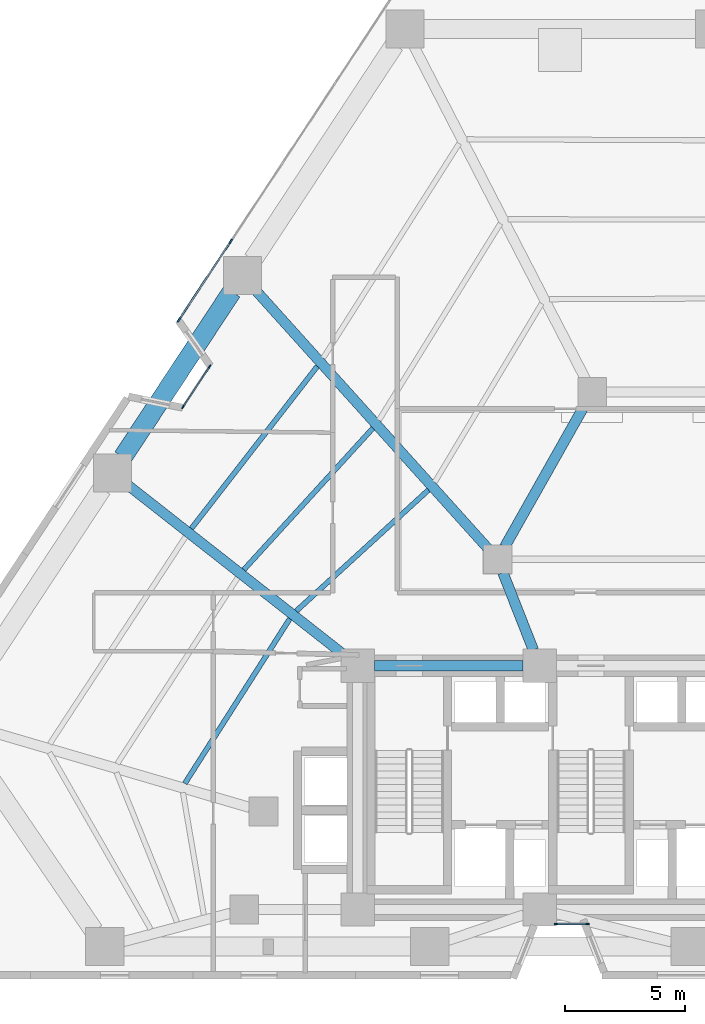
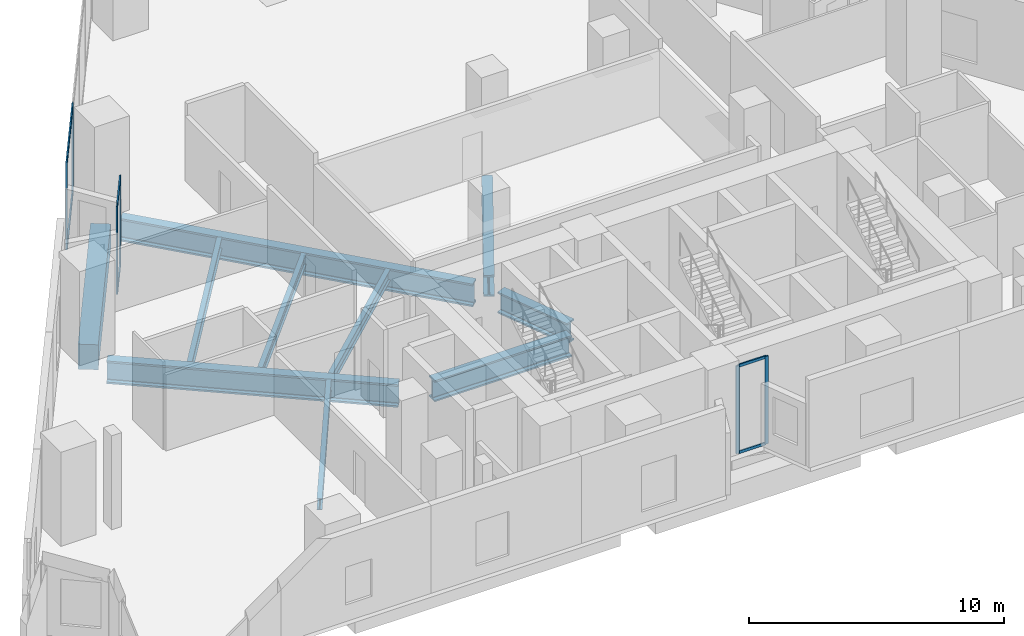
# One storey, part 2 of 12: 12 members, 10 beams, 3 elements without a shape of their own.
"""IFC4 building model written with IfcOpenShell, lengths in metres."""

from ifc_helpers import new_model, si_unit, direction, frame, origin, origin_2d, place, context, subcontext, project, spatial, rectangle, i_section, extrude, material, layer, layer_set, material_profile, profile_set, type_object, element, aggregate, save


model = new_model("IFC4")

# Units and contexts
model_context = context("Model", 3, precision=1e-05, world=origin(), true_north=direction((0.0, 1.0)))
body_context = subcontext(model_context, "Body", "Model", "MODEL_VIEW")
ifc_project = project(units=[si_unit("LENGTHUNIT", "METRE"), si_unit("AREAUNIT", "SQUARE_METRE"), si_unit("VOLUMEUNIT", "CUBIC_METRE"), si_unit("PLANEANGLEUNIT", "RADIAN"), si_unit("MASSUNIT", "GRAM", prefix="KILO")], contexts=[model_context])

# Site, building, storey
site_placement = place(None, origin())
site = spatial("IfcSite", under=ifc_project, at=site_placement, CompositionType="ELEMENT")
building_placement = place(site_placement, origin())
building = spatial("IfcBuilding", under=site, at=building_placement, Name="Almagre Mirador Tower", CompositionType="ELEMENT")
storey_placement = place(building_placement, frame((0.0, 0.0, 12.89990234375)))
storey = spatial("IfcBuildingStorey", under=building, at=storey_placement, Name="L02", CompositionType="ELEMENT", Elevation=12.89990234375)

# Beams
ifc_material_1 = material(Name="Steel ASTM A992 Grade 50", Category="steel")
ifc_material_profile_1 = material_profile(ifc_material_1, i_section(OverallWidth=0.214111328125, OverallDepth=0.549072265625, WebThickness=0.0146484375, FlangeThickness=0.023681640625, FilletRadius=0.01806640625, at=origin_2d()), Name="W21X93")
ifc_profile_set_1 = profile_set([ifc_material_profile_1], Name="Steel ASTM A992 Grade 50")
beam_type_1 = type_object("IfcBeamType", Name="BM-JST-W21X93", PredefinedType="JOIST", material=ifc_profile_set_1)
beam_1_placement = place(storey_placement, frame((25.854736328125, 27.274169921875, -0.574462890625), z_axis=(-0.613238066884, -0.789898141107, 0.0), x_axis=(0.789898141107, -0.613238066884, 0.0)))
element("IfcBeam", 1, at=beam_1_placement, inside=storey, type_object=beam_type_1, Name="L02 secondary floor joist PC10-PC11.1", PredefinedType="JOIST", context=body_context, shape_type="SweptSolid", body=[
    extrude(i_section(OverallWidth=0.214111328125, OverallDepth=0.549072265625, WebThickness=0.0146484375, FlangeThickness=0.023681640625, FilletRadius=0.01806640625, at=origin_2d()), origin(), (0.0, 0.0, 1.0), 8.591796875),
])
beam_2_placement = place(storey_placement, frame((28.179931640625, 24.686279296875, -0.574462890625), z_axis=(-0.673792506438, -0.738920603494, 0.0), x_axis=(0.738920603494, -0.673792506438, 0.0)))
element("IfcBeam", 2, at=beam_2_placement, inside=storey, type_object=beam_type_1, Name="L02 secondary floor joist PC10-PC11.2", PredefinedType="JOIST", context=body_context, shape_type="SweptSolid", body=[
    extrude(i_section(OverallWidth=0.214111328125, OverallDepth=0.549072265625, WebThickness=0.0146484375, FlangeThickness=0.023681640625, FilletRadius=0.01806640625, at=origin_2d()), origin(), (0.0, 0.0, 1.0), 8.0146484375),
])
beam_3_placement = place(storey_placement, frame((30.50439453125, 22.101318359375, -0.574462890625), z_axis=(-0.73753518568, -0.6753087071, 0.0), x_axis=(0.6753087071, -0.73753518568, 0.0)))
element("IfcBeam", 3, at=beam_3_placement, inside=storey, type_object=beam_type_1, Name="L02 secondary floor joist PC10-PC11.3", PredefinedType="JOIST", context=body_context, shape_type="SweptSolid", body=[
    extrude(i_section(OverallWidth=0.214111328125, OverallDepth=0.549072265625, WebThickness=0.0146484375, FlangeThickness=0.023681640625, FilletRadius=0.01806640625, at=origin_2d()), origin(), (0.0, 0.0, 1.0), 7.49755859375),
])
beam_4_placement = place(storey_placement, frame((24.704345703125, 16.716064453125, -0.574462890625), z_axis=(-0.537470771292, -0.84328237857, 0.0), x_axis=(0.84328237857, -0.537470771292, 0.0)))
element("IfcBeam", 4, at=beam_4_placement, inside=storey, type_object=beam_type_1, Name="L02 secondary floor joist PC11-PC12.3", PredefinedType="JOIST", context=body_context, shape_type="SweptSolid", body=[
    extrude(i_section(OverallWidth=0.214111328125, OverallDepth=0.549072265625, WebThickness=0.0146484375, FlangeThickness=0.023681640625, FilletRadius=0.01806640625, at=origin_2d()), origin(), (0.0, 0.0, 1.0), 8.171875),
])
ifc_material_2 = material(Name="Precast concrete C50/60", Category="concrete")
ifc_material_profile_2 = material_profile(ifc_material_2, rectangle(XDim=0.800048828125, YDim=1.199951171875, at=origin_2d()), Name="RC800X1200")
ifc_profile_set_2 = profile_set([ifc_material_profile_2], Name="Precast concrete C50/60")
beam_type_2 = type_object("IfcBeamType", Name="BM-SPN-RC800X1200", PredefinedType="SPANDREL", material=ifc_profile_set_2)
beam_5_placement = place(storey_placement, frame((22.28173828125, 30.39990234375, -0.89990234375), z_axis=(-0.55020506323, -0.835029573366, 0.0), x_axis=(0.835029573366, -0.55020506323, 0.0)))
element("IfcBeam", 5, at=beam_5_placement, inside=storey, type_object=beam_type_2, Name="L02 perimeter spandrel beam PC10-PC11", PredefinedType="SPANDREL", context=body_context, shape_type="SweptSolid", body=[
    extrude(rectangle(XDim=0.800048828125, YDim=1.199951171875, at=origin_2d()), origin(), (0.0, 0.0, 1.0), 8.287109375),
])
ifc_material_3 = material(Name="Steel ASTM A992 Grade 50", Category="steel")
ifc_material_profile_3 = material_profile(ifc_material_3, i_section(OverallWidth=0.43701171875, OverallDepth=1.010986328125, WebThickness=0.041015625, FlangeThickness=0.073974609375, FilletRadius=0.028076171875, at=origin_2d()), Name="W36X529")
ifc_profile_set_3 = profile_set([ifc_material_profile_3], Name="Steel ASTM A992 Grade 50")
beam_type_3 = type_object("IfcBeamType", Name="BM-STL-W36X529", PredefinedType="BEAM", material=ifc_profile_set_3)
beam_6_placement = place(storey_placement, frame((28.25, 14.75, -0.805419921875), z_axis=(1.0, 0.0, 0.0), x_axis=(0.0, 1.0, 0.0)))
element("IfcBeam", 6, at=beam_6_placement, inside=storey, type_object=beam_type_3, Name="L02 core tie girder CC4-CC5", PredefinedType="BEAM", context=body_context, shape_type="SweptSolid", body=[
    extrude(i_section(OverallWidth=0.43701171875, OverallDepth=1.010986328125, WebThickness=0.041015625, FlangeThickness=0.073974609375, FilletRadius=0.028076171875, at=origin_2d()), origin(), (0.0, 0.0, 1.0), 6.199951171875),
])
beam_7_placement = place(storey_placement, frame((37.05517578125, 25.677490234375, -0.805419921875), z_axis=(-0.491440637516, -0.870911074564, 0.0), x_axis=(0.870911074564, -0.491440637516, 0.0)))
element("IfcBeam", 7, at=beam_7_placement, inside=storey, type_object=beam_type_3, Name="L02 core tie girder MC7-MC8", PredefinedType="BEAM", context=body_context, shape_type="SweptSolid", body=[
    extrude(i_section(OverallWidth=0.43701171875, OverallDepth=1.010986328125, WebThickness=0.041015625, FlangeThickness=0.073974609375, FilletRadius=0.028076171875, at=origin_2d()), origin(), (0.0, 0.0, 1.0), 6.837646484375),
])
beam_8_placement = place(storey_placement, frame((33.61962890625, 18.6416015625, -0.805419921875), z_axis=(0.365956076985, -0.93063212373, 0.0), x_axis=(0.93063212373, 0.365956076985, 0.0)))
element("IfcBeam", 8, at=beam_8_placement, inside=storey, type_object=beam_type_3, Name="L02 core tie girder MC8-CC5", PredefinedType="BEAM", context=body_context, shape_type="SweptSolid", body=[
    extrude(i_section(OverallWidth=0.43701171875, OverallDepth=1.010986328125, WebThickness=0.041015625, FlangeThickness=0.073974609375, FilletRadius=0.028076171875, at=origin_2d()), origin(), (0.0, 0.0, 1.0), 3.481689453125),
])
ifc_material_4 = material(Name="Steel ASTM A913 Grade 65", Category="steel")
ifc_material_profile_4 = material_profile(ifc_material_4, i_section(OverallWidth=0.424072265625, OverallDepth=1.092041015625, WebThickness=0.04541015625, FlangeThickness=0.08203125, FilletRadius=0.030029296875, at=origin_2d()), Name="W40X593")
ifc_profile_set_4 = profile_set([ifc_material_profile_4], Name="Steel ASTM A913 Grade 65")
beam_type_4 = type_object("IfcBeamType", Name="BM-STL-W40X593", PredefinedType="BEAM", material=ifc_profile_set_4)
beam_9_placement = place(storey_placement, frame((23.257080078125, 30.473388671875, -0.845947265625), z_axis=(0.668852666091, -0.743394989937, 0.0), x_axis=(0.743394989937, 0.668852666091, 0.0)))
element("IfcBeam", 9, at=beam_9_placement, inside=storey, type_object=beam_type_4, Name="L02 radial floor girder PC10-MC8", PredefinedType="BEAM", context=body_context, shape_type="SweptSolid", body=[
    extrude(i_section(OverallWidth=0.424072265625, OverallDepth=1.092041015625, WebThickness=0.04541015625, FlangeThickness=0.08203125, FilletRadius=0.030029296875, at=origin_2d()), origin(), (0.0, 0.0, 1.0), 14.564697265625),
])
beam_10_placement = place(storey_placement, frame((17.9111328125, 22.318115234375, -0.845947265625), z_axis=(0.786533842835, -0.617547175587, 0.0), x_axis=(0.617547175587, 0.786533842835, 0.0)))
element("IfcBeam", 10, at=beam_10_placement, inside=storey, type_object=beam_type_4, Name="L02 radial floor girder PC11-CC4", PredefinedType="BEAM", context=body_context, shape_type="SweptSolid", body=[
    extrude(i_section(OverallWidth=0.424072265625, OverallDepth=1.092041015625, WebThickness=0.04541015625, FlangeThickness=0.08203125, FilletRadius=0.030029296875, at=origin_2d()), origin(), (0.0, 0.0, 1.0), 11.554931640625),
])

# Curtain wall, members
ifc_material_5 = material(Name="Black anodized aluminium", Category="aluminium")
ifc_layer_1 = layer(ifc_material_5, 0.169921875)
ifc_layer_set_1 = layer_set([ifc_layer_1], Name="Black anodized aluminium")
curtain_wall_type_1 = type_object("IfcCurtainWallType", Name="CW-CRS-SYS", PredefinedType="NOTDEFINED", material=ifc_layer_set_1)
curtain_wall_1_placement = place(storey_placement, origin())
curtain_wall_1 = element("IfcCurtainWall", 11, at=curtain_wall_1_placement, inside=storey, type_object=curtain_wall_type_1, Name="L02 vertical crease curtain wall 01", PredefinedType="NOTDEFINED")
ifc_material_6 = material(Name="Black anodized aluminium", Category="aluminium")
ifc_material_profile_5 = material_profile(ifc_material_6, rectangle(XDim=0.06005859375, YDim=0.14990234375, at=origin_2d()), Name="CWM60X150")
ifc_profile_set_5 = profile_set([ifc_material_profile_5], Name="Black anodized aluminium")
member_type_1 = type_object("IfcMemberType", Name="MBR-CWM60X150", PredefinedType="MULLION", material=ifc_profile_set_5)
member_1_placement = place(storey_placement, frame((20.236572265625, 25.569091796875, 0.0), z_axis=(0.0, 0.0, 1.0), x_axis=(-0.835127993072, 0.550055665535, 0.0)))
member_1 = element("IfcMember", 12, at=member_1_placement, type_object=member_type_1, Name="CW-4 mullion 1", PredefinedType="MULLION", context=body_context, shape_type="SweptSolid", body=[
    extrude(rectangle(XDim=0.06005859375, YDim=0.14990234375, at=origin_2d()), origin(), (0.0, 0.0, 1.0), 4.2001953125),
])
member_2_placement = place(storey_placement, frame((21.353515625, 27.264892578125, 0.0), z_axis=(0.0, 0.0, 1.0), x_axis=(-0.835127993072, 0.550055665535, 0.0)))
member_2 = element("IfcMember", 13, at=member_2_placement, type_object=member_type_1, Name="CW-4 mullion 2", PredefinedType="MULLION", context=body_context, shape_type="SweptSolid", body=[
    extrude(rectangle(XDim=0.06005859375, YDim=0.14990234375, at=origin_2d()), origin(), (0.0, 0.0, 1.0), 4.2001953125),
])

curtain_wall_2_placement = place(storey_placement, origin())
curtain_wall_2 = element("IfcCurtainWall", 14, at=curtain_wall_2_placement, inside=storey, type_object=curtain_wall_type_1, Name="L02 vertical crease curtain wall 06", PredefinedType="NOTDEFINED")
member_3_placement = place(storey_placement, frame((37.155029296875, 3.949951171875, 0.0), z_axis=(0.0, 0.0, 1.0), x_axis=(0.0, -1.0, 0.0)))
member_3 = element("IfcMember", 15, at=member_3_placement, type_object=member_type_1, Name="CW-4 mullion 1", PredefinedType="MULLION", context=body_context, shape_type="SweptSolid", body=[
    extrude(rectangle(XDim=0.06005859375, YDim=0.14990234375, at=origin_2d()), origin(), (0.0, 0.0, 1.0), 4.2001953125),
])
member_4_placement = place(storey_placement, frame((35.842041015625, 3.949951171875, 0.0), z_axis=(0.0, 0.0, 1.0), x_axis=(0.0, -1.0, 0.0)))
member_4 = element("IfcMember", 16, at=member_4_placement, type_object=member_type_1, Name="CW-4 mullion 2", PredefinedType="MULLION", context=body_context, shape_type="SweptSolid", body=[
    extrude(rectangle(XDim=0.06005859375, YDim=0.14990234375, at=origin_2d()), origin(), (0.0, 0.0, 1.0), 4.2001953125),
])

ifc_material_7 = material(Name="Black anodized aluminium", Category="aluminium")
ifc_layer_2 = layer(ifc_material_7, 0.219970703125)
ifc_layer_set_2 = layer_set([ifc_layer_2], Name="Black anodized aluminium")
curtain_wall_type_2 = type_object("IfcCurtainWallType", Name="CW-POD-SYS", PredefinedType="NOTDEFINED", material=ifc_layer_set_2)
curtain_wall_3_placement = place(storey_placement, origin())
curtain_wall_3 = element("IfcCurtainWall", 17, at=curtain_wall_3_placement, inside=storey, type_object=curtain_wall_type_2, Name="L02 curtain wall run 02", PredefinedType="NOTDEFINED")
ifc_material_8 = material(Name="Black anodized aluminium", Category="aluminium")
ifc_material_profile_6 = material_profile(ifc_material_8, rectangle(XDim=0.070068359375, YDim=0.2099609375, at=origin_2d()), Name="CWM70X210")
ifc_profile_set_6 = profile_set([ifc_material_profile_6], Name="Black anodized aluminium")
member_type_2 = type_object("IfcMemberType", Name="MBR-CWM70X210", PredefinedType="MULLION", material=ifc_profile_set_6)
member_5_placement = place(storey_placement, frame((20.064208984375, 29.21630859375, 0.0), z_axis=(0.0, 0.0, 1.0), x_axis=(-0.835011518101, 0.550232464181, 0.0)))
member_5 = element("IfcMember", 18, at=member_5_placement, type_object=member_type_2, Name="CW-1 mullion 1", PredefinedType="MULLION", context=body_context, shape_type="SweptSolid", body=[
    extrude(rectangle(XDim=0.070068359375, YDim=0.2099609375, at=origin_2d()), origin(), (0.0, 0.0, 1.0), 4.2001953125),
])
member_6_placement = place(storey_placement, frame((22.227294921875, 32.498779296875, 0.0), z_axis=(0.0, 0.0, 1.0), x_axis=(-0.835011518101, 0.550232464181, 0.0)))
member_6 = element("IfcMember", 19, at=member_6_placement, type_object=member_type_2, Name="CW-1 mullion 2", PredefinedType="MULLION", context=body_context, shape_type="SweptSolid", body=[
    extrude(rectangle(XDim=0.070068359375, YDim=0.2099609375, at=origin_2d()), origin(), (0.0, 0.0, 1.0), 4.2001953125),
])

# Member
ifc_material_9 = material(Name="Black anodized aluminium", Category="aluminium")
ifc_material_profile_7 = material_profile(ifc_material_9, rectangle(XDim=0.06005859375, YDim=0.1298828125, at=origin_2d()), Name="CWT60X130")
ifc_profile_set_7 = profile_set([ifc_material_profile_7], Name="Black anodized aluminium")
member_type_3 = type_object("IfcMemberType", Name="MBR-CWT60X130", PredefinedType="USERDEFINED", material=ifc_profile_set_7)
member_7_placement = place(storey_placement, frame((20.2529296875, 25.593994140625, 0.030029296875), z_axis=(0.550003213914, 0.835162537884, 0.0), x_axis=(-0.835162537884, 0.550003213914, 0.0)))
member_7 = element("IfcMember", 20, at=member_7_placement, type_object=member_type_3, Name="CW-4 transom 1.1", ObjectType="TRANSOM", PredefinedType="USERDEFINED", context=body_context, shape_type="SweptSolid", body=[
    extrude(rectangle(XDim=0.06005859375, YDim=0.1298828125, at=origin_2d()), origin(), (0.0, 0.0, 1.0), 1.970947265625),
])

member_8_placement = place(storey_placement, frame((20.2529296875, 25.593994140625, 4.170166015625), z_axis=(0.550003213914, 0.835162537884, 0.0), x_axis=(-0.835162537884, 0.550003213914, 0.0)))
member_8 = element("IfcMember", 21, at=member_8_placement, type_object=member_type_3, Name="CW-4 transom 1.2", ObjectType="TRANSOM", PredefinedType="USERDEFINED", context=body_context, shape_type="SweptSolid", body=[
    extrude(rectangle(XDim=0.06005859375, YDim=0.1298828125, at=origin_2d()), origin(), (0.0, 0.0, 1.0), 1.970947265625),
])

aggregate(curtain_wall_1, [member_1, member_2, member_7, member_8])

member_9_placement = place(storey_placement, frame((37.125, 3.949951171875, 0.030029296875), z_axis=(-1.0, 0.0, 0.0), x_axis=(0.0, -1.0, 0.0)))
member_9 = element("IfcMember", 22, at=member_9_placement, type_object=member_type_3, Name="CW-4 transom 1.1", ObjectType="TRANSOM", PredefinedType="USERDEFINED", context=body_context, shape_type="SweptSolid", body=[
    extrude(rectangle(XDim=0.06005859375, YDim=0.1298828125, at=origin_2d()), origin(), (0.0, 0.0, 1.0), 1.2529296875),
])

member_10_placement = place(storey_placement, frame((37.125, 3.949951171875, 4.170166015625), z_axis=(-1.0, 0.0, 0.0), x_axis=(0.0, -1.0, 0.0)))
member_10 = element("IfcMember", 23, at=member_10_placement, type_object=member_type_3, Name="CW-4 transom 1.2", ObjectType="TRANSOM", PredefinedType="USERDEFINED", context=body_context, shape_type="SweptSolid", body=[
    extrude(rectangle(XDim=0.06005859375, YDim=0.1298828125, at=origin_2d()), origin(), (0.0, 0.0, 1.0), 1.2529296875),
])

aggregate(curtain_wall_2, [member_3, member_4, member_9, member_10])

ifc_material_10 = material(Name="Black anodized aluminium", Category="aluminium")
ifc_material_profile_8 = material_profile(ifc_material_10, rectangle(XDim=0.06494140625, YDim=0.14990234375, at=origin_2d()), Name="CWT65X150")
ifc_profile_set_8 = profile_set([ifc_material_profile_8], Name="Black anodized aluminium")
member_type_4 = type_object("IfcMemberType", Name="MBR-CWT65X150", PredefinedType="USERDEFINED", material=ifc_profile_set_8)
member_11_placement = place(storey_placement, frame((20.08349609375, 29.245361328125, 0.03271484375), z_axis=(0.550198151005, 0.835034127824, 0.0), x_axis=(-0.835034127824, 0.550198151005, 0.0)))
member_11 = element("IfcMember", 24, at=member_11_placement, type_object=member_type_4, Name="CW-1 transom 1.1", ObjectType="TRANSOM", PredefinedType="USERDEFINED", context=body_context, shape_type="SweptSolid", body=[
    extrude(rectangle(XDim=0.06494140625, YDim=0.14990234375, at=origin_2d()), origin(), (0.0, 0.0, 1.0), 3.861328125),
])

member_12_placement = place(storey_placement, frame((20.08349609375, 29.245361328125, 4.16748046875), z_axis=(0.550198151005, 0.835034127824, 0.0), x_axis=(-0.835034127824, 0.550198151005, 0.0)))
member_12 = element("IfcMember", 25, at=member_12_placement, type_object=member_type_4, Name="CW-1 transom 1.2", ObjectType="TRANSOM", PredefinedType="USERDEFINED", context=body_context, shape_type="SweptSolid", body=[
    extrude(rectangle(XDim=0.06494140625, YDim=0.14990234375, at=origin_2d()), origin(), (0.0, 0.0, 1.0), 3.861328125),
])

aggregate(curtain_wall_3, [member_5, member_6, member_11, member_12])

save(model, "model.ifc")
